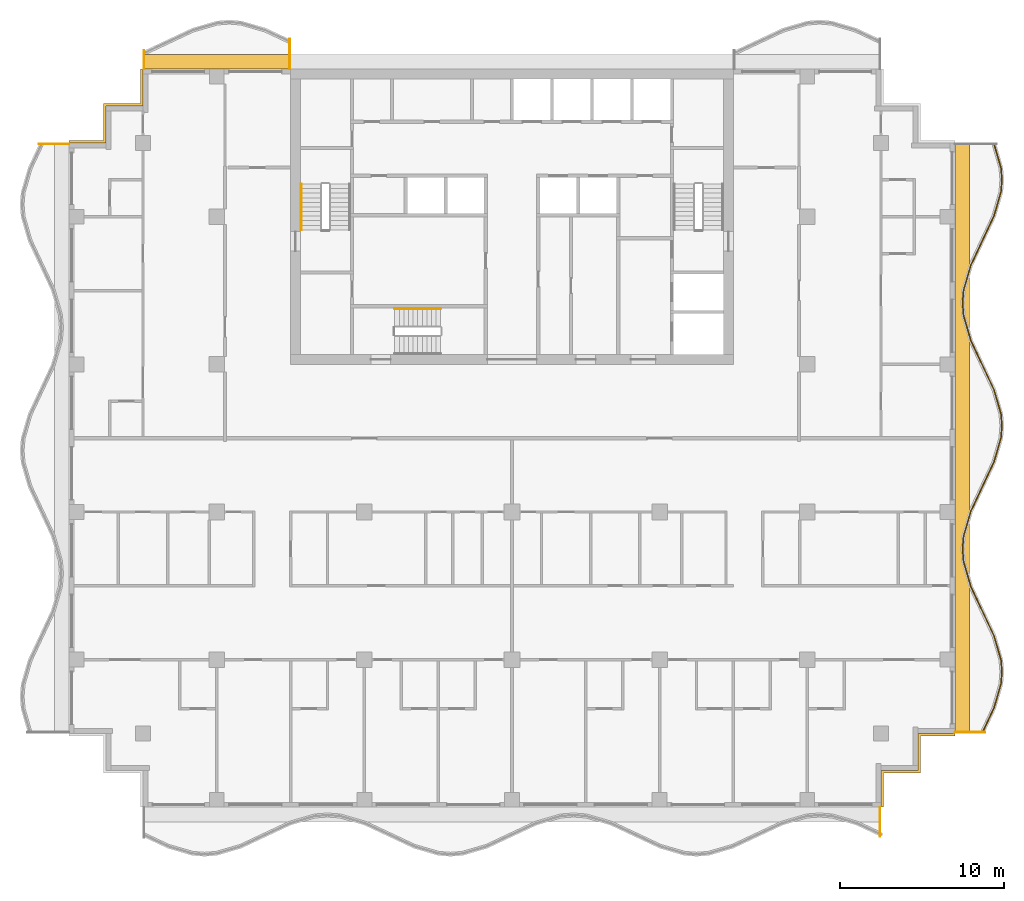
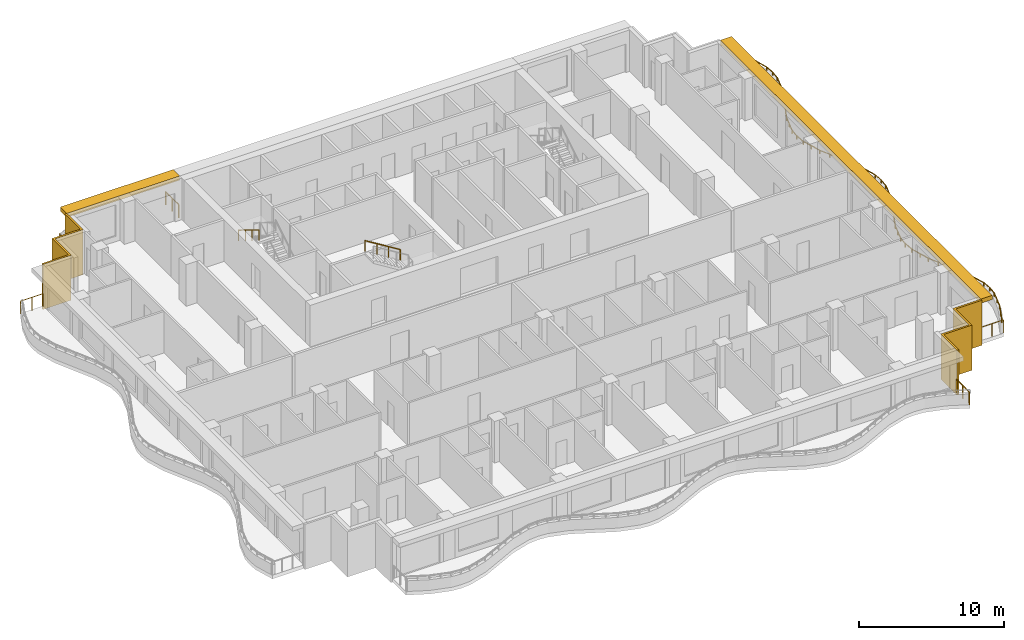
# One storey, part 10 of 11: 8 railings, 4 shading devices.
"""IFC4 building model written with IfcOpenShell, lengths in metres."""

from ifc_helpers import new_model, si_unit, direction, frame, origin, origin_2d, place, context, subcontext, project, spatial, polyline, rectangle, circle, outline, extrude, material, layer, layer_set, type_object, element, save


model = new_model("IFC4")

# Units and contexts
model_context = context("Model", 3, precision=1e-05, world=origin(), true_north=direction((0.0, 1.0)))
body_context = subcontext(model_context, "Body", "Model", "MODEL_VIEW")
ifc_project = project(units=[si_unit("LENGTHUNIT", "METRE"), si_unit("AREAUNIT", "SQUARE_METRE"), si_unit("VOLUMEUNIT", "CUBIC_METRE"), si_unit("PLANEANGLEUNIT", "RADIAN"), si_unit("MASSUNIT", "GRAM", prefix="KILO")], contexts=[model_context])

# Site, building, storey
site_placement = place(None, origin())
site = spatial("IfcSite", under=ifc_project, at=site_placement, CompositionType="ELEMENT")
building_placement = place(site_placement, origin())
building = spatial("IfcBuilding", under=site, at=building_placement, Name="Orbiselva Terraces", CompositionType="ELEMENT")
storey_placement = place(building_placement, frame((0.0, 0.0, 273.0)))
storey = spatial("IfcBuildingStorey", under=building, at=storey_placement, Name="L69", CompositionType="ELEMENT", Elevation=273.0)

# Railings
ifc_material_1 = material(Name="Stainless steel", Category="steel")
railing_type_1 = type_object("IfcRailingType", Name="CORE-HANDRAIL-900", PredefinedType="HANDRAIL", material=ifc_material_1)
railing_1_placement = place(storey_placement, frame((-12.85, 15.5, 2.072727)))
element("IfcRailing", 1, at=railing_1_placement, inside=storey, type_object=railing_type_1, Name="L69 S1 stair handrail 2", PredefinedType="HANDRAIL", context=body_context, shape_type="SweptSolid", body=[
    extrude(circle(Radius=0.024, at=origin_2d()), frame((0.0, 0.0, 0.876), z_axis=(0.0, -0.851088519012, 0.52502222125), x_axis=(1.0, 0.0, 0.0)), (0.0, 0.0, 1.0), 3.289905),
    extrude(circle(Radius=0.021, at=origin_2d()), origin(), (0.0, 0.0, 1.0), 0.852),
    extrude(circle(Radius=0.021, at=origin_2d()), frame((0.0, -0.933333, 0.575758)), (0.0, 0.0, 1.0), 0.852),
    extrude(circle(Radius=0.021, at=origin_2d()), frame((0.0, -1.866667, 1.151515)), (0.0, 0.0, 1.0), 0.852),
    extrude(circle(Radius=0.021, at=origin_2d()), frame((0.0, -2.8, 1.727273)), (0.0, 0.0, 1.0), 0.852),
])
railing_2_placement = place(storey_placement, frame((-4.35, 7.9, 2.072727)))
element("IfcRailing", 2, at=railing_2_placement, inside=storey, type_object=railing_type_1, Name="L69 S3 stair handrail 2", PredefinedType="HANDRAIL", context=body_context, shape_type="SweptSolid", body=[
    extrude(circle(Radius=0.024, at=origin_2d()), frame((0.0, 0.0, 0.876), z_axis=(-0.851088519012, 0.0, 0.52502222125), x_axis=(0.0, -1.0, 0.0)), (0.0, 0.0, 1.0), 3.289905),
    extrude(circle(Radius=0.021, at=origin_2d()), origin(), (0.0, 0.0, 1.0), 0.852),
    extrude(circle(Radius=0.021, at=origin_2d()), frame((-0.933333, 0.0, 0.575758)), (0.0, 0.0, 1.0), 0.852),
    extrude(circle(Radius=0.021, at=origin_2d()), frame((-1.866667, 0.0, 1.151515)), (0.0, 0.0, 1.0), 0.852),
    extrude(circle(Radius=0.021, at=origin_2d()), frame((-2.8, 0.0, 1.727273)), (0.0, 0.0, 1.0), 0.852),
])
ifc_material_2 = material(Name="Bonded two-ply safety glass balustrade, stainless steel posts", Category="steel")
railing_type_2 = type_object("IfcRailingType", Name="ENV-BALUSTRADE-1200", PredefinedType="BALUSTRADE", material=ifc_material_2)
railing_3_placement = place(storey_placement, frame((28.686882, -17.946809, 0.9)))
element("IfcRailing", 3, at=railing_3_placement, inside=storey, type_object=railing_type_2, Name="Balcony balustrade L69 E", PredefinedType="BALUSTRADE", context=body_context, shape_type="SweptSolid", body=[
    extrude(outline(polyline([(0.028868, 0.0), (0.014434, 0.025), (-0.014434, 0.025), (-0.028868, 0.0), (-0.014434, -0.025), (0.014434, -0.025), (0.028868, 0.0)])), frame((0.0, 0.0, 0.275), z_axis=(0.425529912322, 0.904944359461, 0.0), x_axis=(-0.904944359461, 0.425529912322, 0.0)), (0.0, 0.0, 1.0), 1.647746),
    extrude(outline(polyline([(0.028868, 0.0), (0.014434, 0.025), (-0.014434, 0.025), (-0.028868, 0.0), (-0.014434, -0.025), (0.014434, -0.025), (0.028868, 0.0)])), frame((0.701165, 1.491118, 0.275), z_axis=(0.279071528957, 0.960270317007, 0.0), x_axis=(-0.960270317007, 0.279071528957, 0.0)), (0.0, 0.0, 1.0), 1.539408),
    extrude(outline(polyline([(0.028868, 0.0), (0.014434, 0.025), (-0.014434, 0.025), (-0.028868, 0.0), (-0.014434, -0.025), (0.014434, -0.025), (0.028868, 0.0)])), frame((1.13077, 2.969366, 0.275), z_axis=(0.078069536776, 0.996947916106, 0.0), x_axis=(-0.996947916106, 0.078069536776, 0.0)), (0.0, 0.0, 1.0), 0.72967),
    extrude(outline(polyline([(0.028868, 0.0), (0.014434, 0.025), (-0.014434, 0.025), (-0.028868, 0.0), (-0.014434, -0.025), (0.014434, -0.025), (0.028868, 0.0)])), frame((1.187735, 3.696809, 0.275), z_axis=(-0.078069536776, 0.996947916106, 0.0), x_axis=(-0.996947916106, -0.078069536776, 0.0)), (0.0, 0.0, 1.0), 0.72967),
    extrude(outline(polyline([(0.028868, 0.0), (0.014434, 0.025), (-0.014434, 0.025), (-0.028868, 0.0), (-0.014434, -0.025), (0.014434, -0.025), (0.028868, 0.0)])), frame((1.13077, 4.424252, 0.275), z_axis=(-0.279071528957, 0.960270317007, 0.0), x_axis=(-0.960270317007, -0.279071528957, 0.0)), (0.0, 0.0, 1.0), 1.539408),
    extrude(outline(polyline([(0.028868, 0.0), (0.014434, 0.025), (-0.014434, 0.025), (-0.028868, 0.0), (-0.014434, -0.025), (0.014434, -0.025), (0.028868, 0.0)])), frame((0.701165, 5.9025, 0.275), z_axis=(-0.425529912322, 0.904944359461, 0.0), x_axis=(-0.904944359461, -0.425529912322, 0.0)), (0.0, 0.0, 1.0), 1.647746),
    extrude(outline(polyline([(0.028868, 0.0), (0.014434, 0.025), (-0.014434, 0.025), (-0.028868, 0.0), (-0.014434, -0.025), (0.014434, -0.025), (0.028868, 0.0)])), frame((0.0, 7.393618, 0.275), z_axis=(-0.425530342069, 0.904944157382, 0.0), x_axis=(-0.904944157382, -0.425530342069, 0.0)), (0.0, 0.0, 1.0), 1.667376),
    extrude(outline(polyline([(0.028868, 0.0), (0.014434, 0.025), (-0.014434, 0.025), (-0.028868, 0.0), (-0.014434, -0.025), (0.014434, -0.025), (0.028868, 0.0)])), frame((-0.709519, 8.9025, 0.275), z_axis=(-0.279070928786, 0.960270491427, 0.0), x_axis=(-0.960270491427, -0.279070928786, 0.0)), (0.0, 0.0, 1.0), 1.584712),
    extrude(outline(polyline([(0.028868, 0.0), (0.014434, 0.025), (-0.014434, 0.025), (-0.028868, 0.0), (-0.014434, -0.025), (0.014434, -0.025), (0.028868, 0.0)])), frame((-1.151766, 10.424252, 0.275), z_axis=(-0.078071061106, 0.996947796737, 0.0), x_axis=(-0.996947796737, -0.078071061106, 0.0)), (0.0, 0.0, 1.0), 0.774922),
    extrude(outline(polyline([(0.028868, 0.0), (0.014434, 0.025), (-0.014434, 0.025), (-0.028868, 0.0), (-0.014434, -0.025), (0.014434, -0.025), (0.028868, 0.0)])), frame((-1.212265, 11.196809, 0.275), z_axis=(0.078071061106, 0.996947796737, 0.0), x_axis=(-0.996947796737, 0.078071061106, 0.0)), (0.0, 0.0, 1.0), 0.774922),
    extrude(outline(polyline([(0.028868, 0.0), (0.014434, 0.025), (-0.014434, 0.025), (-0.028868, 0.0), (-0.014434, -0.025), (0.014434, -0.025), (0.028868, 0.0)])), frame((-1.151766, 11.969366, 0.275), z_axis=(0.279070928786, 0.960270491427, 0.0), x_axis=(-0.960270491427, 0.279070928786, 0.0)), (0.0, 0.0, 1.0), 1.584712),
    extrude(outline(polyline([(0.028868, 0.0), (0.014434, 0.025), (-0.014434, 0.025), (-0.028868, 0.0), (-0.014434, -0.025), (0.014434, -0.025), (0.028868, 0.0)])), frame((-0.709519, 13.491118, 0.275), z_axis=(0.425530342069, 0.904944157382, 0.0), x_axis=(-0.904944157382, 0.425530342069, 0.0)), (0.0, 0.0, 1.0), 1.667376),
    extrude(outline(polyline([(0.028868, 0.0), (0.014434, 0.025), (-0.014434, 0.025), (-0.028868, 0.0), (-0.014434, -0.025), (0.014434, -0.025), (0.028868, 0.0)])), frame((0.0, 15.0, 0.275), z_axis=(0.425529912322, 0.904944359461, 0.0), x_axis=(-0.904944359461, 0.425529912322, 0.0)), (0.0, 0.0, 1.0), 1.647746),
    extrude(outline(polyline([(0.028868, 0.0), (0.014434, 0.025), (-0.014434, 0.025), (-0.028868, 0.0), (-0.014434, -0.025), (0.014434, -0.025), (0.028868, 0.0)])), frame((0.701165, 16.491118, 0.275), z_axis=(0.279071528957, 0.960270317007, 0.0), x_axis=(-0.960270317007, 0.279071528957, 0.0)), (0.0, 0.0, 1.0), 1.539408),
    extrude(outline(polyline([(0.028868, 0.0), (0.014434, 0.025), (-0.014434, 0.025), (-0.028868, 0.0), (-0.014434, -0.025), (0.014434, -0.025), (0.028868, 0.0)])), frame((1.13077, 17.969366, 0.275), z_axis=(0.078069536776, 0.996947916106, 0.0), x_axis=(-0.996947916106, 0.078069536776, 0.0)), (0.0, 0.0, 1.0), 0.72967),
    extrude(outline(polyline([(0.028868, 0.0), (0.014434, 0.025), (-0.014434, 0.025), (-0.028868, 0.0), (-0.014434, -0.025), (0.014434, -0.025), (0.028868, 0.0)])), frame((1.187735, 18.696809, 0.275), z_axis=(-0.078069536776, 0.996947916106, 0.0), x_axis=(-0.996947916106, -0.078069536776, 0.0)), (0.0, 0.0, 1.0), 0.72967),
    extrude(outline(polyline([(0.028868, 0.0), (0.014434, 0.025), (-0.014434, 0.025), (-0.028868, 0.0), (-0.014434, -0.025), (0.014434, -0.025), (0.028868, 0.0)])), frame((1.13077, 19.424252, 0.275), z_axis=(-0.279071528957, 0.960270317007, 0.0), x_axis=(-0.960270317007, -0.279071528957, 0.0)), (0.0, 0.0, 1.0), 1.539408),
    extrude(outline(polyline([(0.028868, 0.0), (0.014434, 0.025), (-0.014434, 0.025), (-0.028868, 0.0), (-0.014434, -0.025), (0.014434, -0.025), (0.028868, 0.0)])), frame((0.701165, 20.9025, 0.275), z_axis=(-0.425529912322, 0.904944359461, 0.0), x_axis=(-0.904944359461, -0.425529912322, 0.0)), (0.0, 0.0, 1.0), 1.647746),
    extrude(outline(polyline([(0.028868, 0.0), (0.014434, 0.025), (-0.014434, 0.025), (-0.028868, 0.0), (-0.014434, -0.025), (0.014434, -0.025), (0.028868, 0.0)])), frame((0.0, 22.393618, 0.275), z_axis=(-0.425530342069, 0.904944157382, 0.0), x_axis=(-0.904944157382, -0.425530342069, 0.0)), (0.0, 0.0, 1.0), 1.667376),
    extrude(outline(polyline([(0.028868, 0.0), (0.014434, 0.025), (-0.014434, 0.025), (-0.028868, 0.0), (-0.014434, -0.025), (0.014434, -0.025), (0.028868, 0.0)])), frame((-0.709519, 23.9025, 0.275), z_axis=(-0.279070928786, 0.960270491427, 0.0), x_axis=(-0.960270491427, -0.279070928786, 0.0)), (0.0, 0.0, 1.0), 1.584712),
    extrude(outline(polyline([(0.028868, 0.0), (0.014434, 0.025), (-0.014434, 0.025), (-0.028868, 0.0), (-0.014434, -0.025), (0.014434, -0.025), (0.028868, 0.0)])), frame((-1.151766, 25.424252, 0.275), z_axis=(-0.078071061106, 0.996947796737, 0.0), x_axis=(-0.996947796737, -0.078071061106, 0.0)), (0.0, 0.0, 1.0), 0.774922),
    extrude(outline(polyline([(0.028868, 0.0), (0.014434, 0.025), (-0.014434, 0.025), (-0.028868, 0.0), (-0.014434, -0.025), (0.014434, -0.025), (0.028868, 0.0)])), frame((-1.212265, 26.196809, 0.275), z_axis=(0.078071061106, 0.996947796737, 0.0), x_axis=(-0.996947796737, 0.078071061106, 0.0)), (0.0, 0.0, 1.0), 0.774922),
    extrude(outline(polyline([(0.028868, 0.0), (0.014434, 0.025), (-0.014434, 0.025), (-0.028868, 0.0), (-0.014434, -0.025), (0.014434, -0.025), (0.028868, 0.0)])), frame((-1.151766, 26.969366, 0.275), z_axis=(0.279070928786, 0.960270491427, 0.0), x_axis=(-0.960270491427, 0.279070928786, 0.0)), (0.0, 0.0, 1.0), 1.584712),
    extrude(outline(polyline([(0.028868, 0.0), (0.014434, 0.025), (-0.014434, 0.025), (-0.028868, 0.0), (-0.014434, -0.025), (0.014434, -0.025), (0.028868, 0.0)])), frame((-0.709519, 28.491118, 0.275), z_axis=(0.425530342069, 0.904944157382, 0.0), x_axis=(-0.904944157382, 0.425530342069, 0.0)), (0.0, 0.0, 1.0), 1.667376),
    extrude(outline(polyline([(0.028868, 0.0), (0.014434, 0.025), (-0.014434, 0.025), (-0.028868, 0.0), (-0.014434, -0.025), (0.014434, -0.025), (0.028868, 0.0)])), frame((0.0, 30.0, 0.275), z_axis=(0.425529912322, 0.904944359461, 0.0), x_axis=(-0.904944359461, 0.425529912322, 0.0)), (0.0, 0.0, 1.0), 1.647746),
    extrude(outline(polyline([(0.028868, 0.0), (0.014434, 0.025), (-0.014434, 0.025), (-0.028868, 0.0), (-0.014434, -0.025), (0.014434, -0.025), (0.028868, 0.0)])), frame((0.701165, 31.491118, 0.275), z_axis=(0.279071528957, 0.960270317007, 0.0), x_axis=(-0.960270317007, 0.279071528957, 0.0)), (0.0, 0.0, 1.0), 1.539408),
    extrude(outline(polyline([(0.028868, 0.0), (0.014434, 0.025), (-0.014434, 0.025), (-0.028868, 0.0), (-0.014434, -0.025), (0.014434, -0.025), (0.028868, 0.0)])), frame((1.13077, 32.969366, 0.275), z_axis=(0.078069536776, 0.996947916106, 0.0), x_axis=(-0.996947916106, 0.078069536776, 0.0)), (0.0, 0.0, 1.0), 0.72967),
    extrude(outline(polyline([(0.028868, 0.0), (0.014434, 0.025), (-0.014434, 0.025), (-0.028868, 0.0), (-0.014434, -0.025), (0.014434, -0.025), (0.028868, 0.0)])), frame((1.187735, 33.696809, 0.275), z_axis=(-0.078069536776, 0.996947916106, 0.0), x_axis=(-0.996947916106, -0.078069536776, 0.0)), (0.0, 0.0, 1.0), 0.72967),
    extrude(outline(polyline([(0.028868, 0.0), (0.014434, 0.025), (-0.014434, 0.025), (-0.028868, 0.0), (-0.014434, -0.025), (0.014434, -0.025), (0.028868, 0.0)])), frame((1.13077, 34.424252, 0.275), z_axis=(-0.279071486336, 0.960270329394, 0.0), x_axis=(-0.960270329394, -0.279071486336, 0.0)), (0.0, 0.0, 1.0), 1.549223),
    extrude(rectangle(XDim=0.05, YDim=0.05, at=origin_2d()), origin(), (0.0, 0.0, 1.0), 0.25),
    extrude(rectangle(XDim=0.05, YDim=0.05, at=origin_2d()), frame((0.350582, 0.745559, 0.0)), (0.0, 0.0, 1.0), 0.25),
    extrude(rectangle(XDim=0.05, YDim=0.05, at=origin_2d()), frame((0.701165, 1.491118, 0.0)), (0.0, 0.0, 1.0), 0.25),
    extrude(rectangle(XDim=0.05, YDim=0.05, at=origin_2d()), frame((0.915967, 2.230242, 0.0)), (0.0, 0.0, 1.0), 0.25),
    extrude(rectangle(XDim=0.05, YDim=0.05, at=origin_2d()), frame((1.13077, 2.969366, 0.0)), (0.0, 0.0, 1.0), 0.25),
    extrude(rectangle(XDim=0.05, YDim=0.05, at=origin_2d()), frame((1.187735, 3.696809, 0.0)), (0.0, 0.0, 1.0), 0.25),
    extrude(rectangle(XDim=0.05, YDim=0.05, at=origin_2d()), frame((1.13077, 4.424252, 0.0)), (0.0, 0.0, 1.0), 0.25),
    extrude(rectangle(XDim=0.05, YDim=0.05, at=origin_2d()), frame((0.915967, 5.163376, 0.0)), (0.0, 0.0, 1.0), 0.25),
    extrude(rectangle(XDim=0.05, YDim=0.05, at=origin_2d()), frame((0.701165, 5.9025, 0.0)), (0.0, 0.0, 1.0), 0.25),
    extrude(rectangle(XDim=0.05, YDim=0.05, at=origin_2d()), frame((0.350582, 6.648059, 0.0)), (0.0, 0.0, 1.0), 0.25),
    extrude(rectangle(XDim=0.05, YDim=0.05, at=origin_2d()), frame((0.0, 7.393618, 0.0)), (0.0, 0.0, 1.0), 0.25),
    extrude(rectangle(XDim=0.05, YDim=0.05, at=origin_2d()), frame((-0.35476, 8.148059, 0.0)), (0.0, 0.0, 1.0), 0.25),
    extrude(rectangle(XDim=0.05, YDim=0.05, at=origin_2d()), frame((-0.709519, 8.9025, 0.0)), (0.0, 0.0, 1.0), 0.25),
    extrude(rectangle(XDim=0.05, YDim=0.05, at=origin_2d()), frame((-0.930643, 9.663376, 0.0)), (0.0, 0.0, 1.0), 0.25),
    extrude(rectangle(XDim=0.05, YDim=0.05, at=origin_2d()), frame((-1.151766, 10.424252, 0.0)), (0.0, 0.0, 1.0), 0.25),
    extrude(rectangle(XDim=0.05, YDim=0.05, at=origin_2d()), frame((-1.212265, 11.196809, 0.0)), (0.0, 0.0, 1.0), 0.25),
    extrude(rectangle(XDim=0.05, YDim=0.05, at=origin_2d()), frame((-1.151766, 11.969366, 0.0)), (0.0, 0.0, 1.0), 0.25),
    extrude(rectangle(XDim=0.05, YDim=0.05, at=origin_2d()), frame((-0.930643, 12.730242, 0.0)), (0.0, 0.0, 1.0), 0.25),
    extrude(rectangle(XDim=0.05, YDim=0.05, at=origin_2d()), frame((-0.709519, 13.491118, 0.0)), (0.0, 0.0, 1.0), 0.25),
    extrude(rectangle(XDim=0.05, YDim=0.05, at=origin_2d()), frame((-0.35476, 14.245559, 0.0)), (0.0, 0.0, 1.0), 0.25),
    extrude(rectangle(XDim=0.05, YDim=0.05, at=origin_2d()), frame((0.0, 15.0, 0.0)), (0.0, 0.0, 1.0), 0.25),
    extrude(rectangle(XDim=0.05, YDim=0.05, at=origin_2d()), frame((0.350582, 15.745559, 0.0)), (0.0, 0.0, 1.0), 0.25),
    extrude(rectangle(XDim=0.05, YDim=0.05, at=origin_2d()), frame((0.701165, 16.491118, 0.0)), (0.0, 0.0, 1.0), 0.25),
    extrude(rectangle(XDim=0.05, YDim=0.05, at=origin_2d()), frame((0.915967, 17.230242, 0.0)), (0.0, 0.0, 1.0), 0.25),
    extrude(rectangle(XDim=0.05, YDim=0.05, at=origin_2d()), frame((1.13077, 17.969366, 0.0)), (0.0, 0.0, 1.0), 0.25),
    extrude(rectangle(XDim=0.05, YDim=0.05, at=origin_2d()), frame((1.187735, 18.696809, 0.0)), (0.0, 0.0, 1.0), 0.25),
    extrude(rectangle(XDim=0.05, YDim=0.05, at=origin_2d()), frame((1.13077, 19.424252, 0.0)), (0.0, 0.0, 1.0), 0.25),
    extrude(rectangle(XDim=0.05, YDim=0.05, at=origin_2d()), frame((0.915967, 20.163376, 0.0)), (0.0, 0.0, 1.0), 0.25),
    extrude(rectangle(XDim=0.05, YDim=0.05, at=origin_2d()), frame((0.701165, 20.9025, 0.0)), (0.0, 0.0, 1.0), 0.25),
    extrude(rectangle(XDim=0.05, YDim=0.05, at=origin_2d()), frame((0.350582, 21.648059, 0.0)), (0.0, 0.0, 1.0), 0.25),
    extrude(rectangle(XDim=0.05, YDim=0.05, at=origin_2d()), frame((0.0, 22.393618, 0.0)), (0.0, 0.0, 1.0), 0.25),
    extrude(rectangle(XDim=0.05, YDim=0.05, at=origin_2d()), frame((-0.35476, 23.148059, 0.0)), (0.0, 0.0, 1.0), 0.25),
    extrude(rectangle(XDim=0.05, YDim=0.05, at=origin_2d()), frame((-0.709519, 23.9025, 0.0)), (0.0, 0.0, 1.0), 0.25),
    extrude(rectangle(XDim=0.05, YDim=0.05, at=origin_2d()), frame((-0.930643, 24.663376, 0.0)), (0.0, 0.0, 1.0), 0.25),
    extrude(rectangle(XDim=0.05, YDim=0.05, at=origin_2d()), frame((-1.151766, 25.424252, 0.0)), (0.0, 0.0, 1.0), 0.25),
    extrude(rectangle(XDim=0.05, YDim=0.05, at=origin_2d()), frame((-1.212265, 26.196809, 0.0)), (0.0, 0.0, 1.0), 0.25),
    extrude(rectangle(XDim=0.05, YDim=0.05, at=origin_2d()), frame((-1.151766, 26.969366, 0.0)), (0.0, 0.0, 1.0), 0.25),
    extrude(rectangle(XDim=0.05, YDim=0.05, at=origin_2d()), frame((-0.930643, 27.730242, 0.0)), (0.0, 0.0, 1.0), 0.25),
    extrude(rectangle(XDim=0.05, YDim=0.05, at=origin_2d()), frame((-0.709519, 28.491118, 0.0)), (0.0, 0.0, 1.0), 0.25),
    extrude(rectangle(XDim=0.05, YDim=0.05, at=origin_2d()), frame((-0.35476, 29.245559, 0.0)), (0.0, 0.0, 1.0), 0.25),
    extrude(rectangle(XDim=0.05, YDim=0.05, at=origin_2d()), frame((0.0, 30.0, 0.0)), (0.0, 0.0, 1.0), 0.25),
    extrude(rectangle(XDim=0.05, YDim=0.05, at=origin_2d()), frame((0.350582, 30.745559, 0.0)), (0.0, 0.0, 1.0), 0.25),
    extrude(rectangle(XDim=0.05, YDim=0.05, at=origin_2d()), frame((0.701165, 31.491118, 0.0)), (0.0, 0.0, 1.0), 0.25),
    extrude(rectangle(XDim=0.05, YDim=0.05, at=origin_2d()), frame((0.915967, 32.230242, 0.0)), (0.0, 0.0, 1.0), 0.25),
    extrude(rectangle(XDim=0.05, YDim=0.05, at=origin_2d()), frame((1.13077, 32.969366, 0.0)), (0.0, 0.0, 1.0), 0.25),
    extrude(rectangle(XDim=0.05, YDim=0.05, at=origin_2d()), frame((1.187735, 33.696809, 0.0)), (0.0, 0.0, 1.0), 0.25),
    extrude(rectangle(XDim=0.05, YDim=0.05, at=origin_2d()), frame((1.13077, 34.424252, 0.0)), (0.0, 0.0, 1.0), 0.25),
    extrude(rectangle(XDim=0.05, YDim=0.05, at=origin_2d()), frame((0.914598, 35.168088, 0.0)), (0.0, 0.0, 1.0), 0.25),
    extrude(rectangle(XDim=0.05, YDim=0.05, at=origin_2d()), frame((0.698426, 35.911925, 0.0)), (0.0, 0.0, 1.0), 0.25),
])
ifc_material_3 = material(Name="Stainless steel rail and posts", Category="steel")
railing_type_3 = type_object("IfcRailingType", Name="ENV-GUARD-1105", PredefinedType="BALUSTRADE", material=ifc_material_3)
railing_4_placement = place(storey_placement, frame((22.44, -24.269844, 0.0)))
element("IfcRailing", 4, at=railing_4_placement, inside=storey, type_object=railing_type_3, Name="Balcony end guard L69 S", PredefinedType="BALUSTRADE", context=body_context, shape_type="SweptSolid", body=[
    extrude(outline(polyline([(0.028868, 0.0), (0.014434, 0.025), (-0.014434, 0.025), (-0.028868, 0.0), (-0.014434, -0.025), (0.014434, -0.025), (0.028868, 0.0)])), frame((0.0, 0.0, 1.08), z_axis=(0.0, 1.0, 0.0), x_axis=(-1.0, 0.0, 0.0)), (0.0, 0.0, 1.0), 1.744844),
    extrude(rectangle(XDim=0.05, YDim=0.05, at=origin_2d()), origin(), (0.0, 0.0, 1.0), 1.055),
    extrude(rectangle(XDim=0.05, YDim=0.05, at=origin_2d()), frame((0.0, 0.872422, 0.0)), (0.0, 0.0, 1.0), 1.055),
    extrude(rectangle(XDim=0.05, YDim=0.05, at=origin_2d()), frame((0.0, 1.744844, 0.0)), (0.0, 0.0, 1.0), 1.055),
])
railing_5_placement = place(storey_placement, frame((28.830156, -17.94, 0.0)))
element("IfcRailing", 5, at=railing_5_placement, inside=storey, type_object=railing_type_3, Name="Balcony end guard L69 E", PredefinedType="BALUSTRADE", context=body_context, shape_type="SweptSolid", body=[
    extrude(outline(polyline([(0.028868, 0.0), (0.014434, 0.025), (-0.014434, 0.025), (-0.028868, 0.0), (-0.014434, -0.025), (0.014434, -0.025), (0.028868, 0.0)])), frame((0.0, 0.0, 1.08), z_axis=(-1.0, 0.0, 0.0), x_axis=(0.0, -1.0, 0.0)), (0.0, 0.0, 1.0), 1.805156),
    extrude(rectangle(XDim=0.05, YDim=0.05, at=origin_2d()), origin(), (0.0, 0.0, 1.0), 1.055),
    extrude(rectangle(XDim=0.05, YDim=0.05, at=origin_2d()), frame((-0.902578, 0.0, 0.0)), (0.0, 0.0, 1.0), 1.055),
    extrude(rectangle(XDim=0.05, YDim=0.05, at=origin_2d()), frame((-1.805156, 0.0, 0.0)), (0.0, 0.0, 1.0), 1.055),
])
railing_6_placement = place(storey_placement, frame((-13.56, 24.330156, 0.0)))
element("IfcRailing", 6, at=railing_6_placement, inside=storey, type_object=railing_type_3, Name="Balcony end guard L69 NW", PredefinedType="BALUSTRADE", context=body_context, shape_type="SweptSolid", body=[
    extrude(outline(polyline([(0.028868, 0.0), (0.014434, 0.025), (-0.014434, 0.025), (-0.028868, 0.0), (-0.014434, -0.025), (0.014434, -0.025), (0.028868, 0.0)])), frame((0.0, 0.0, 1.08), z_axis=(0.0, -1.0, 0.0), x_axis=(1.0, 0.0, 0.0)), (0.0, 0.0, 1.0), 1.805156),
    extrude(rectangle(XDim=0.05, YDim=0.05, at=origin_2d()), origin(), (0.0, 0.0, 1.0), 1.055),
    extrude(rectangle(XDim=0.05, YDim=0.05, at=origin_2d()), frame((0.0, -0.902578, 0.0)), (0.0, 0.0, 1.0), 1.055),
    extrude(rectangle(XDim=0.05, YDim=0.05, at=origin_2d()), frame((0.0, -1.805156, 0.0)), (0.0, 0.0, 1.0), 1.055),
])
railing_7_placement = place(storey_placement, frame((-22.44, 23.619277, 0.0)))
element("IfcRailing", 7, at=railing_7_placement, inside=storey, type_object=railing_type_3, Name="Balcony end guard L69 NW", PredefinedType="BALUSTRADE", context=body_context, shape_type="SweptSolid", body=[
    extrude(outline(polyline([(0.028868, 0.0), (0.014434, 0.025), (-0.014434, 0.025), (-0.028868, 0.0), (-0.014434, -0.025), (0.014434, -0.025), (0.028868, 0.0)])), frame((0.0, 0.0, 1.08), z_axis=(0.0, -1.0, 0.0), x_axis=(1.0, 0.0, 0.0)), (0.0, 0.0, 1.0), 1.094277),
    extrude(rectangle(XDim=0.05, YDim=0.05, at=origin_2d()), origin(), (0.0, 0.0, 1.0), 1.055),
    extrude(rectangle(XDim=0.05, YDim=0.05, at=origin_2d()), frame((0.0, -1.094277, 0.0)), (0.0, 0.0, 1.0), 1.055),
])
railing_8_placement = place(storey_placement, frame((-28.830156, 17.94, 0.0)))
element("IfcRailing", 8, at=railing_8_placement, inside=storey, type_object=railing_type_3, Name="Balcony end guard L69 W", PredefinedType="BALUSTRADE", context=body_context, shape_type="SweptSolid", body=[
    extrude(outline(polyline([(0.028868, 0.0), (0.014434, 0.025), (-0.014434, 0.025), (-0.028868, 0.0), (-0.014434, -0.025), (0.014434, -0.025), (0.028868, 0.0)])), frame((0.0, 0.0, 1.08), z_axis=(1.0, 0.0, 0.0), x_axis=(0.0, 1.0, 0.0)), (0.0, 0.0, 1.0), 1.805156),
    extrude(rectangle(XDim=0.05, YDim=0.05, at=origin_2d()), origin(), (0.0, 0.0, 1.0), 1.055),
    extrude(rectangle(XDim=0.05, YDim=0.05, at=origin_2d()), frame((0.902578, 0.0, 0.0)), (0.0, 0.0, 1.0), 1.055),
    extrude(rectangle(XDim=0.05, YDim=0.05, at=origin_2d()), frame((1.805156, 0.0, 0.0)), (0.0, 0.0, 1.0), 1.055),
])

# Shading devices
ifc_material_4 = material(Name="Terracotta louvre screen", Category="masonry")
ifc_layer_1 = layer(ifc_material_4, 0.15)
ifc_layer_set_1 = layer_set([ifc_layer_1], Name="Terracotta louvre screen")
shading_device_type_1 = type_object("IfcShadingDeviceType", Name="ENV-SCREEN-150", PredefinedType="USERDEFINED", material=ifc_layer_set_1)
shading_device_1_placement = place(storey_placement, frame((0.0, 0.0, -0.3)))
element("IfcShadingDevice", 9, at=shading_device_1_placement, inside=storey, type_object=shading_device_type_1, Name="Louvre screen L69 NW", ObjectType="SCREEN", PredefinedType="USERDEFINED", context=body_context, shape_type="SweptSolid", body=[
    extrude(outline(polyline([(-22.65, 22.5), (-22.65, 20.4), (-24.9, 20.4), (-24.9, 18.15), (-27.0, 18.15), (-27.0, 18.0), (-24.75, 18.0), (-24.75, 20.25), (-22.5, 20.25), (-22.5, 22.5), (-22.65, 22.5)])), origin(), (0.0, 0.0, 1.0), 3.8),
])
shading_device_2_placement = place(storey_placement, frame((0.0, 0.0, -0.3)))
element("IfcShadingDevice", 10, at=shading_device_2_placement, inside=storey, type_object=shading_device_type_1, Name="Louvre screen L69 SE", ObjectType="SCREEN", PredefinedType="USERDEFINED", context=body_context, shape_type="SweptSolid", body=[
    extrude(outline(polyline([(22.65, -22.5), (22.65, -20.4), (24.9, -20.4), (24.9, -18.15), (27.0, -18.15), (27.0, -18.0), (24.75, -18.0), (24.75, -20.25), (22.5, -20.25), (22.5, -22.5), (22.65, -22.5)])), origin(), (0.0, 0.0, 1.0), 3.8),
])
ifc_material_5 = material(Name="Terracotta baguette sunshade", Category="masonry")
ifc_layer_2 = layer(ifc_material_5, 0.35)
ifc_layer_set_2 = layer_set([ifc_layer_2], Name="Terracotta baguette sunshade")
shading_device_type_2 = type_object("IfcShadingDeviceType", Name="ENV-SUNSHADE-900x350", PredefinedType="USERDEFINED", material=ifc_layer_set_2)
shading_device_3_placement = place(storey_placement, frame((0.0, 0.0, 3.15)))
element("IfcShadingDevice", 11, at=shading_device_3_placement, inside=storey, type_object=shading_device_type_2, Name="Sunshade band L69 E", ObjectType="SUNSHADE", PredefinedType="USERDEFINED", context=body_context, shape_type="SweptSolid", body=[
    extrude(outline(polyline([(27.9, -18.0), (27.9, 18.0), (27.0, 18.0), (27.0, -18.0), (27.9, -18.0)])), origin(), (0.0, 0.0, 1.0), 0.35),
])
shading_device_4_placement = place(storey_placement, frame((0.0, 0.0, 3.15)))
element("IfcShadingDevice", 12, at=shading_device_4_placement, inside=storey, type_object=shading_device_type_2, Name="Sunshade band L69 NW", ObjectType="SUNSHADE", PredefinedType="USERDEFINED", context=body_context, shape_type="SweptSolid", body=[
    extrude(outline(polyline([(-13.5, 23.4), (-22.5, 23.4), (-22.5, 22.5), (-13.5, 22.5), (-13.5, 23.4)])), origin(), (0.0, 0.0, 1.0), 0.35),
])

save(model, "model.ifc")
